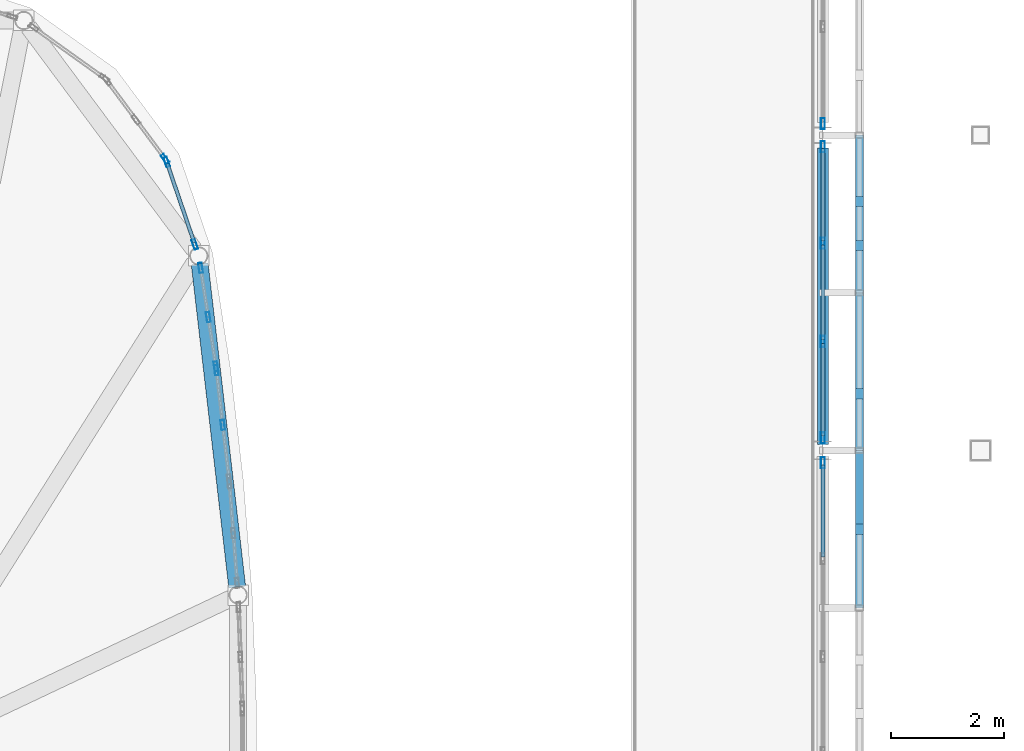
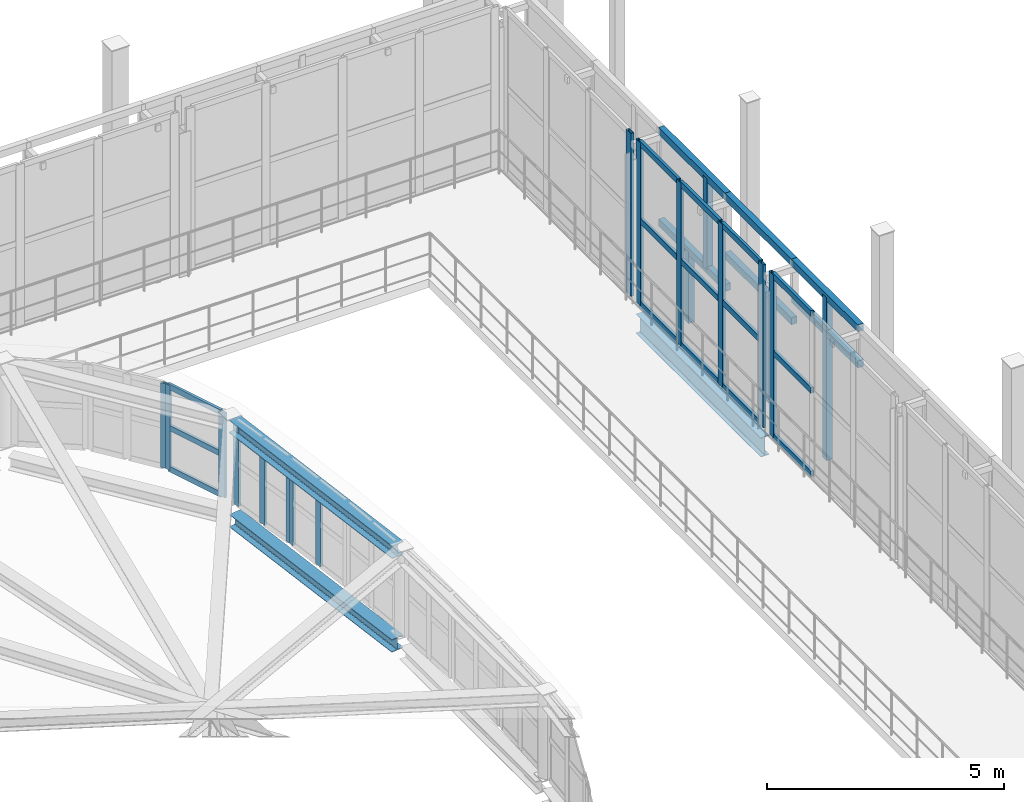
# One storey, part 37 of 78: 39 members, 3 beams, 7 elements without a shape of their own.
"""IFC4 building model written with IfcOpenShell, lengths in metres."""

from ifc_helpers import new_model, si_unit, direction, frame, origin, origin_2d, place, context, subcontext, project, spatial, rectangle, hollow_rectangle, i_section, extrude, material, layer, layer_set, material_profile, profile_set, type_object, element, aggregate, save


model = new_model("IFC4")

# Units and contexts
model_context = context("Model", 3, precision=1e-05, world=origin(), true_north=direction((0.0, 1.0)))
body_context = subcontext(model_context, "Body", "Model", "MODEL_VIEW")
ifc_project = project(units=[si_unit("LENGTHUNIT", "METRE"), si_unit("AREAUNIT", "SQUARE_METRE"), si_unit("VOLUMEUNIT", "CUBIC_METRE"), si_unit("PLANEANGLEUNIT", "RADIAN"), si_unit("MASSUNIT", "GRAM", prefix="KILO")], contexts=[model_context])

# Site, building, storey
site_placement = place(None, origin())
site = spatial("IfcSite", under=ifc_project, at=site_placement, CompositionType="ELEMENT")
building_placement = place(site_placement, origin())
building = spatial("IfcBuilding", under=site, at=building_placement, Name="Vinh Khe Railworks Police Headquarters", CompositionType="ELEMENT")
storey_placement = place(building_placement, frame((0.0, 0.0, 13.199951171875)))
storey = spatial("IfcBuildingStorey", under=building, at=storey_placement, Name="L03", CompositionType="ELEMENT", Elevation=13.199951171875)

# Members
ifc_material_1 = material(Name="Salvaged ironwood timber", Category="wood")
ifc_material_profile_1 = material_profile(ifc_material_1, rectangle(XDim=0.139892578125, YDim=0.179931640625, at=origin_2d()), Name="TIMBER 140x180")
ifc_profile_set_1 = profile_set([ifc_material_profile_1], Name="Salvaged ironwood timber")
member_type_1 = type_object("IfcMemberType", Name="MEM-QUILT-STILE", PredefinedType="CHORD", material=ifc_profile_set_1)
for number, where, z_axis, x_axis, name in (
    (1, (60.64990234375, 44.800048828125, 4.1201171875), (0.0, 1.0, 0.0), (-1.0, 0.0, 0.0), "Salvaged Timber Quilt Transom E-L03-07-TOP"),
    (2, (60.64990234375, 44.800048828125, 3.192138671875), (0.0, 1.0, 0.0), (-1.0, 0.0, 0.0), "Salvaged Timber Quilt Transom E-L03-07-M1"),
):
    element("IfcMember", number, at=place(storey_placement, frame(where, z_axis=z_axis, x_axis=x_axis)), inside=storey, type_object=member_type_1, Name=name, PredefinedType="CHORD", context=body_context, shape_type="SweptSolid", body=[
        extrude(rectangle(XDim=0.139892578125, YDim=0.179931640625, at=origin_2d()), origin(), (0.0, 0.0, 1.0), 2.800048828125),
    ])
member_1_placement = place(storey_placement, frame((60.64990234375, 46.199951171875, -0.079833984375), z_axis=(0.0, 0.0, 1.0), x_axis=(1.0, 0.0, 0.0)))
element("IfcMember", 3, at=member_1_placement, inside=storey, type_object=member_type_1, Name="Salvaged Timber Quilt Stile E-L03-07-V1", PredefinedType="POST", context=body_context, shape_type="SweptSolid", body=[
    extrude(rectangle(XDim=0.139892578125, YDim=0.179931640625, at=origin_2d()), origin(), (0.0, 0.0, 1.0), 4.199951171875),
])
for number, where, z_axis, x_axis, name in (
    (4, (60.64990234375, 47.60009765625, 4.1201171875), (0.0, 1.0, 0.0), (-1.0, 0.0, 0.0), "Salvaged Timber Quilt Transom E-L03-08-TOP"),
    (5, (60.64990234375, 47.60009765625, 2.60400390625), (0.0, 1.0, 0.0), (-1.0, 0.0, 0.0), "Salvaged Timber Quilt Transom E-L03-08-M1"),
):
    element("IfcMember", number, at=place(storey_placement, frame(where, z_axis=z_axis, x_axis=x_axis)), inside=storey, type_object=member_type_1, Name=name, PredefinedType="CHORD", context=body_context, shape_type="SweptSolid", body=[
        extrude(rectangle(XDim=0.139892578125, YDim=0.179931640625, at=origin_2d()), origin(), (0.0, 0.0, 1.0), 2.7998046875),
    ])
member_2_placement = place(storey_placement, frame((60.64990234375, 48.60791015625, -0.079833984375), z_axis=(0.0, 0.0, 1.0), x_axis=(1.0, 0.0, 0.0)))
element("IfcMember", 6, at=member_2_placement, inside=storey, type_object=member_type_1, Name="Salvaged Timber Quilt Stile E-L03-08-V1", PredefinedType="POST", context=body_context, shape_type="SweptSolid", body=[
    extrude(rectangle(XDim=0.139892578125, YDim=0.179931640625, at=origin_2d()), origin(), (0.0, 0.0, 1.0), 2.683837890625),
])
for number, where, z_axis, x_axis, name in (
    (7, (60.64990234375, 50.39990234375, 4.1201171875), (0.0, 1.0, 0.0), (-1.0, 0.0, 0.0), "Salvaged Timber Quilt Transom E-L03-09-TOP"),
    (8, (60.64990234375, 50.39990234375, 1.76416015625), (0.0, 1.0, 0.0), (-1.0, 0.0, 0.0), "Salvaged Timber Quilt Transom E-L03-09-M1"),
):
    element("IfcMember", number, at=place(storey_placement, frame(where, z_axis=z_axis, x_axis=x_axis)), inside=storey, type_object=member_type_1, Name=name, PredefinedType="CHORD", context=body_context, shape_type="SweptSolid", body=[
        extrude(rectangle(XDim=0.139892578125, YDim=0.179931640625, at=origin_2d()), origin(), (0.0, 0.0, 1.0), 2.800048828125),
    ])
member_3_placement = place(storey_placement, frame((60.64990234375, 52.02392578125, -0.079833984375), z_axis=(0.0, 0.0, 1.0), x_axis=(1.0, 0.0, 0.0)))
element("IfcMember", 9, at=member_3_placement, inside=storey, type_object=member_type_1, Name="Salvaged Timber Quilt Stile E-L03-09-V1", PredefinedType="POST", context=body_context, shape_type="SweptSolid", body=[
    extrude(rectangle(XDim=0.139892578125, YDim=0.179931640625, at=origin_2d()), origin(), (0.0, 0.0, 1.0), 1.843994140625),
])
member_4_placement = place(storey_placement, frame((60.64990234375, 51.239990234375, 1.76416015625), z_axis=(0.0, 0.0, 1.0), x_axis=(1.0, 0.0, 0.0)))
element("IfcMember", 10, at=member_4_placement, inside=storey, type_object=member_type_1, Name="Salvaged Timber Quilt Stile E-L03-09-V2", PredefinedType="POST", context=body_context, shape_type="SweptSolid", body=[
    extrude(rectangle(XDim=0.139892578125, YDim=0.179931640625, at=origin_2d()), origin(), (0.0, 0.0, 1.0), 2.35595703125),
])

# Curtain wall, members
ifc_material_2 = material(Name="Anodised aluminium and acoustic laminated glass", Category="aluminium")
ifc_layer_1 = layer(ifc_material_2, 0.159912109375)
ifc_layer_set_1 = layer_set([ifc_layer_1], Name="Anodised aluminium and acoustic laminated glass")
curtain_wall_type_1 = type_object("IfcCurtainWallType", Name="CW-DRUM-CHORD", PredefinedType="USERDEFINED", material=ifc_layer_set_1)
curtain_wall_1_placement = place(storey_placement, origin())
curtain_wall_1 = element("IfcCurtainWall", 11, at=curtain_wall_1_placement, inside=storey, type_object=curtain_wall_type_1, Name="Elliptical Command Drum Glazing L03 Chord 8", ObjectType="DRUM FACADE GLAZING", PredefinedType="USERDEFINED")
ifc_material_3 = material(Name="Anodised aluminium 6063-T6", Category="aluminium")
ifc_material_profile_2 = material_profile(ifc_material_3, hollow_rectangle(XDim=0.06494140625, YDim=0.179931640625, WallThickness=0.0048828125, at=origin_2d()), Name="CW-M 65x180x5")
ifc_profile_set_2 = profile_set([ifc_material_profile_2], Name="Anodised aluminium 6063-T6")
member_type_2 = type_object("IfcMemberType", Name="MULL-CWM-02", PredefinedType="MULLION", material=ifc_profile_set_2)
member_5_placement = place(storey_placement, frame((49.340087890625, 48.052978515625, 0.0), z_axis=(0.0, 0.0, 1.0), x_axis=(-0.993328656296, -0.115317737498, 0.0)))
member_5 = element("IfcMember", 12, at=member_5_placement, type_object=member_type_2, Name="CW-02 mullion 2", PredefinedType="MULLION", context=body_context, shape_type="SweptSolid", body=[
    extrude(hollow_rectangle(XDim=0.06494140625, YDim=0.179931640625, WallThickness=0.0048828125, at=origin_2d()), origin(), (0.0, 0.0, 1.0), 2.179931640625),
])
member_6_placement = place(storey_placement, frame((49.227294921875, 49.025146484375, 0.0), z_axis=(0.0, 0.0, 1.0), x_axis=(-0.993328656296, -0.115317737498, 0.0)))
member_6 = element("IfcMember", 13, at=member_6_placement, type_object=member_type_2, Name="CW-02 mullion 3", PredefinedType="MULLION", context=body_context, shape_type="SweptSolid", body=[
    extrude(hollow_rectangle(XDim=0.06494140625, YDim=0.179931640625, WallThickness=0.0048828125, at=origin_2d()), origin(), (0.0, 0.0, 1.0), 2.179931640625),
])
aggregate(curtain_wall_1, [member_5, member_6])

curtain_wall_2_placement = place(storey_placement, origin())
curtain_wall_2 = element("IfcCurtainWall", 14, at=curtain_wall_2_placement, inside=storey, type_object=curtain_wall_type_1, Name="Elliptical Command Drum Glazing L03 Chord 9", ObjectType="DRUM FACADE GLAZING", PredefinedType="USERDEFINED")
member_7_placement = place(storey_placement, frame((49.218505859375, 49.089599609375, 0.0), z_axis=(0.0, 0.0, 1.0), x_axis=(-0.988150371063, -0.153488905684, 0.0)))
member_7 = element("IfcMember", 15, at=member_7_placement, type_object=member_type_2, Name="CW-02 mullion 1", PredefinedType="MULLION", context=body_context, shape_type="SweptSolid", body=[
    extrude(hollow_rectangle(XDim=0.06494140625, YDim=0.179931640625, WallThickness=0.0048828125, at=origin_2d()), origin(), (0.0, 0.0, 1.0), 2.179931640625),
])
member_8_placement = place(storey_placement, frame((49.082275390625, 49.966796875, 0.0), z_axis=(0.0, 0.0, 1.0), x_axis=(-0.988150371063, -0.153488905684, 0.0)))
member_8 = element("IfcMember", 16, at=member_8_placement, type_object=member_type_2, Name="CW-02 mullion 2", PredefinedType="MULLION", context=body_context, shape_type="SweptSolid", body=[
    extrude(hollow_rectangle(XDim=0.06494140625, YDim=0.179931640625, WallThickness=0.0048828125, at=origin_2d()), origin(), (0.0, 0.0, 1.0), 2.179931640625),
])
member_9_placement = place(storey_placement, frame((48.946044921875, 50.843994140625, 0.0), z_axis=(0.0, 0.0, 1.0), x_axis=(-0.988150371063, -0.153488905684, 0.0)))
member_9 = element("IfcMember", 17, at=member_9_placement, type_object=member_type_2, Name="CW-02 mullion 3", PredefinedType="MULLION", context=body_context, shape_type="SweptSolid", body=[
    extrude(hollow_rectangle(XDim=0.06494140625, YDim=0.179931640625, WallThickness=0.0048828125, at=origin_2d()), origin(), (0.0, 0.0, 1.0), 2.179931640625),
])
aggregate(curtain_wall_2, [member_7, member_8, member_9])

curtain_wall_3_placement = place(storey_placement, origin())
curtain_wall_3 = element("IfcCurtainWall", 18, at=curtain_wall_3_placement, inside=storey, type_object=curtain_wall_type_1, Name="Elliptical Command Drum Glazing L03 Chord 10", ObjectType="DRUM FACADE GLAZING", PredefinedType="USERDEFINED")
member_10_placement = place(storey_placement, frame((48.84375, 51.2587890625, 0.0), z_axis=(0.0, 0.0, 1.0), x_axis=(-0.946484607162, -0.322748955701, 0.0)))
member_10 = element("IfcMember", 19, at=member_10_placement, type_object=member_type_2, Name="CW-02 mullion 1", PredefinedType="MULLION", context=body_context, shape_type="SweptSolid", body=[
    extrude(hollow_rectangle(XDim=0.06494140625, YDim=0.179931640625, WallThickness=0.0048828125, at=origin_2d()), origin(), (0.0, 0.0, 1.0), 2.179931640625),
])
member_11_placement = place(storey_placement, frame((48.344482421875, 52.72314453125, 0.0), z_axis=(0.0, 0.0, 1.0), x_axis=(-0.946484607162, -0.322748955701, 0.0)))
member_11 = element("IfcMember", 20, at=member_11_placement, type_object=member_type_2, Name="CW-02 mullion 2", PredefinedType="MULLION", context=body_context, shape_type="SweptSolid", body=[
    extrude(hollow_rectangle(XDim=0.06494140625, YDim=0.179931640625, WallThickness=0.0048828125, at=origin_2d()), origin(), (0.0, 0.0, 1.0), 2.179931640625),
])

# Curtain wall, member
curtain_wall_4_placement = place(storey_placement, origin())
curtain_wall_4 = element("IfcCurtainWall", 21, at=curtain_wall_4_placement, inside=storey, type_object=curtain_wall_type_1, Name="Elliptical Command Drum Glazing L03 Chord 11", ObjectType="DRUM FACADE GLAZING", PredefinedType="USERDEFINED")
member_12_placement = place(storey_placement, frame((48.314697265625, 52.77978515625, 0.0), z_axis=(0.0, 0.0, 1.0), x_axis=(-0.802591949394, -0.596528425784, 0.0)))
member_12 = element("IfcMember", 22, at=member_12_placement, type_object=member_type_2, Name="CW-02 mullion 1", PredefinedType="MULLION", context=body_context, shape_type="SweptSolid", body=[
    extrude(hollow_rectangle(XDim=0.06494140625, YDim=0.179931640625, WallThickness=0.0048828125, at=origin_2d()), origin(), (0.0, 0.0, 1.0), 2.179931640625),
])
aggregate(curtain_wall_4, [member_12])

ifc_material_4 = material(Name="Anodised aluminium and low-iron glass", Category="aluminium")
ifc_layer_2 = layer(ifc_material_4, 0.179931640625)
ifc_layer_set_2 = layer_set([ifc_layer_2], Name="Anodised aluminium and low-iron glass")
curtain_wall_type_2 = type_object("IfcCurtainWallType", Name="CW-CUBE-UNIT", PredefinedType="USERDEFINED", material=ifc_layer_set_2)
curtain_wall_5_placement = place(storey_placement, origin())
curtain_wall_5 = element("IfcCurtainWall", 23, at=curtain_wall_5_placement, inside=storey, type_object=curtain_wall_type_2, Name="Entrance Hall Curtain Wall L03 E-4", ObjectType="UNITISED GLAZING", PredefinedType="USERDEFINED")
ifc_material_profile_3 = material_profile(ifc_material_3, hollow_rectangle(XDim=0.070068359375, YDim=0.199951171875, WallThickness=0.0048828125, at=origin_2d()), Name="CW-M 70x200x5")
ifc_profile_set_3 = profile_set([ifc_material_profile_3], Name="Anodised aluminium 6063-T6")
member_type_3 = type_object("IfcMemberType", Name="MULL-CWM-03", PredefinedType="MULLION", material=ifc_profile_set_3)
member_13_placement = place(storey_placement, frame((60.0, 47.3798828125, 0.0), z_axis=(0.0, 0.0, 1.0), x_axis=(-1.0, 0.0, 0.0)))
member_13 = element("IfcMember", 24, at=member_13_placement, type_object=member_type_3, Name="CW-01 mullion 4", PredefinedType="MULLION", context=body_context, shape_type="SweptSolid", body=[
    extrude(hollow_rectangle(XDim=0.070068359375, YDim=0.199951171875, WallThickness=0.0048828125, at=origin_2d()), origin(), (0.0, 0.0, 1.0), 4.199951171875),
])

# Curtain wall, members
curtain_wall_6_placement = place(storey_placement, origin())
curtain_wall_6 = element("IfcCurtainWall", 25, at=curtain_wall_6_placement, inside=storey, type_object=curtain_wall_type_2, Name="Entrance Hall Curtain Wall L03 E-5", ObjectType="UNITISED GLAZING", PredefinedType="USERDEFINED")
member_14_placement = place(storey_placement, frame((60.0, 47.820068359375, 0.0), z_axis=(0.0, 0.0, 1.0), x_axis=(-1.0, 0.0, 0.0)))
member_14 = element("IfcMember", 26, at=member_14_placement, type_object=member_type_3, Name="CW-01 mullion 1", PredefinedType="MULLION", context=body_context, shape_type="SweptSolid", body=[
    extrude(hollow_rectangle(XDim=0.070068359375, YDim=0.199951171875, WallThickness=0.0048828125, at=origin_2d()), origin(), (0.0, 0.0, 1.0), 4.199951171875),
])
member_15_placement = place(storey_placement, frame((60.0, 49.533447265625, 0.0), z_axis=(0.0, 0.0, 1.0), x_axis=(-1.0, 0.0, 0.0)))
member_15 = element("IfcMember", 27, at=member_15_placement, type_object=member_type_3, Name="CW-01 mullion 2", PredefinedType="MULLION", context=body_context, shape_type="SweptSolid", body=[
    extrude(hollow_rectangle(XDim=0.070068359375, YDim=0.199951171875, WallThickness=0.0048828125, at=origin_2d()), origin(), (0.0, 0.0, 1.0), 4.199951171875),
])
member_16_placement = place(storey_placement, frame((60.0, 51.28173828125, 0.0), z_axis=(0.0, 0.0, 1.0), x_axis=(-1.0, 0.0, 0.0)))
member_16 = element("IfcMember", 28, at=member_16_placement, type_object=member_type_3, Name="CW-01 mullion 3", PredefinedType="MULLION", context=body_context, shape_type="SweptSolid", body=[
    extrude(hollow_rectangle(XDim=0.070068359375, YDim=0.199951171875, WallThickness=0.0048828125, at=origin_2d()), origin(), (0.0, 0.0, 1.0), 4.199951171875),
])
member_17_placement = place(storey_placement, frame((60.0, 52.9951171875, 0.0), z_axis=(0.0, 0.0, 1.0), x_axis=(-1.0, 0.0, 0.0)))
member_17 = element("IfcMember", 29, at=member_17_placement, type_object=member_type_3, Name="CW-01 mullion 4", PredefinedType="MULLION", context=body_context, shape_type="SweptSolid", body=[
    extrude(hollow_rectangle(XDim=0.070068359375, YDim=0.199951171875, WallThickness=0.0048828125, at=origin_2d()), origin(), (0.0, 0.0, 1.0), 4.199951171875),
])

# Curtain wall, member
curtain_wall_7_placement = place(storey_placement, origin())
curtain_wall_7 = element("IfcCurtainWall", 30, at=curtain_wall_7_placement, inside=storey, type_object=curtain_wall_type_2, Name="Entrance Hall Curtain Wall L03 E-6", ObjectType="UNITISED GLAZING", PredefinedType="USERDEFINED")
member_18_placement = place(storey_placement, frame((60.0, 53.405029296875, 0.0), z_axis=(0.0, 0.0, 1.0), x_axis=(-1.0, 0.0, 0.0)))
member_18 = element("IfcMember", 31, at=member_18_placement, type_object=member_type_3, Name="CW-01 mullion 1", PredefinedType="MULLION", context=body_context, shape_type="SweptSolid", body=[
    extrude(hollow_rectangle(XDim=0.070068359375, YDim=0.199951171875, WallThickness=0.0048828125, at=origin_2d()), origin(), (0.0, 0.0, 1.0), 4.199951171875),
])
aggregate(curtain_wall_7, [member_18])

# Beams
ifc_material_5 = material(Name="Steel S355JR", Category="steel")
ifc_material_profile_4 = material_profile(ifc_material_5, i_section(OverallWidth=0.300048828125, OverallDepth=0.330078125, WebThickness=0.009521484375, FlangeThickness=0.0166015625, FilletRadius=0.027099609375, at=origin_2d()), Name="HEA 340")
ifc_profile_set_4 = profile_set([ifc_material_profile_4], Name="Steel S355JR")
beam_type_1 = type_object("IfcBeamType", Name="Steel Girder HEA 340", PredefinedType="BEAM", material=ifc_profile_set_4)
beam_1_placement = place(storey_placement, frame((49.59423828125, 45.188720703125, -0.385009765625), z_axis=(-0.115301092257, 0.993330588538, 0.0), x_axis=(-0.993330588538, -0.115301092257, 0.0)))
element("IfcBeam", 32, at=beam_1_placement, inside=storey, type_object=beam_type_1, Name="Drum Ring Girder BM-L03-DRUM-SB-16-1278", PredefinedType="BEAM", context=body_context, shape_type="SweptSolid", body=[
    extrude(i_section(OverallWidth=0.300048828125, OverallDepth=0.330078125, WebThickness=0.009521484375, FlangeThickness=0.0166015625, FilletRadius=0.027099609375, at=origin_2d()), origin(), (0.0, 0.0, 1.0), 5.748779296875),
])
beam_2_placement = place(storey_placement, frame((49.595947265625, 45.173095703125, 2.03515625), z_axis=(-0.115307025533, 0.993329899813, 0.0), x_axis=(-0.993329899813, -0.115307025533, 0.0)))
element("IfcBeam", 33, at=beam_2_placement, inside=storey, type_object=beam_type_1, Name="Drum Ring Girder BM-L03-DRUM-SB-16-1484", PredefinedType="BEAM", context=body_context, shape_type="SweptSolid", body=[
    extrude(i_section(OverallWidth=0.300048828125, OverallDepth=0.330078125, WebThickness=0.009521484375, FlangeThickness=0.0166015625, FilletRadius=0.027099609375, at=origin_2d()), origin(), (0.0, 0.0, 1.0), 5.7802734375),
])
ifc_material_profile_5 = material_profile(ifc_material_5, i_section(OverallWidth=0.199951171875, OverallDepth=0.5, WebThickness=0.01025390625, FlangeThickness=0.01611328125, FilletRadius=0.02099609375, at=origin_2d()), Name="IPE 500")
ifc_profile_set_5 = profile_set([ifc_material_profile_5], Name="Steel S355JR")
beam_type_2 = type_object("IfcBeamType", Name="Steel Girder IPE 500", PredefinedType="BEAM", material=ifc_profile_set_5)
beam_3_placement = place(storey_placement, frame((60.0, 47.7099609375, -0.469970703125), z_axis=(0.0, 1.0, 0.0), x_axis=(-1.0, 0.0, 0.0)))
element("IfcBeam", 34, at=beam_3_placement, inside=storey, type_object=beam_type_2, Name="Girder BM-L03-NS-SB-19-1223", PredefinedType="BEAM", context=body_context, shape_type="SweptSolid", body=[
    extrude(i_section(OverallWidth=0.199951171875, OverallDepth=0.5, WebThickness=0.01025390625, FlangeThickness=0.01611328125, FilletRadius=0.02099609375, at=origin_2d()), origin(), (0.0, 0.0, 1.0), 5.26513671875),
])

# Member
ifc_material_profile_6 = material_profile(ifc_material_3, hollow_rectangle(XDim=0.06494140625, YDim=0.139892578125, WallThickness=0.00390625, at=origin_2d()), Name="CW-T 65x140x4")
ifc_profile_set_6 = profile_set([ifc_material_profile_6], Name="Anodised aluminium 6063-T6")
member_type_4 = type_object("IfcMemberType", Name="TRAN-CWT-02", PredefinedType="USERDEFINED", material=ifc_profile_set_6)
member_19_placement = place(storey_placement, frame((48.833251953125, 51.28955078125, 0.032470703125), z_axis=(-0.322694051316, 0.946503327646, 0.0), x_axis=(-0.946503327646, -0.322694051316, 0.0)))
member_19 = element("IfcMember", 35, at=member_19_placement, type_object=member_type_4, Name="CW-02 transom 1.1", ObjectType="TRANSOM", PredefinedType="USERDEFINED", context=body_context, shape_type="SweptSolid", body=[
    extrude(hollow_rectangle(XDim=0.06494140625, YDim=0.139892578125, WallThickness=0.00390625, at=origin_2d()), origin(), (0.0, 0.0, 1.0), 1.482177734375),
])

member_20_placement = place(storey_placement, frame((48.833251953125, 51.28955078125, 1.090087890625), z_axis=(-0.322694051316, 0.946503327646, 0.0), x_axis=(-0.946503327646, -0.322694051316, 0.0)))
member_20 = element("IfcMember", 36, at=member_20_placement, type_object=member_type_4, Name="CW-02 transom 1.2", ObjectType="TRANSOM", PredefinedType="USERDEFINED", context=body_context, shape_type="SweptSolid", body=[
    extrude(hollow_rectangle(XDim=0.06494140625, YDim=0.139892578125, WallThickness=0.00390625, at=origin_2d()), origin(), (0.0, 0.0, 1.0), 1.482177734375),
])

member_21_placement = place(storey_placement, frame((48.833251953125, 51.28955078125, 2.1474609375), z_axis=(-0.322694051316, 0.946503327646, 0.0), x_axis=(-0.946503327646, -0.322694051316, 0.0)))
member_21 = element("IfcMember", 37, at=member_21_placement, type_object=member_type_4, Name="CW-02 transom 1.3", ObjectType="TRANSOM", PredefinedType="USERDEFINED", context=body_context, shape_type="SweptSolid", body=[
    extrude(hollow_rectangle(XDim=0.06494140625, YDim=0.139892578125, WallThickness=0.00390625, at=origin_2d()), origin(), (0.0, 0.0, 1.0), 1.482177734375),
])

aggregate(curtain_wall_3, [member_10, member_11, member_19, member_20, member_21])

ifc_material_profile_7 = material_profile(ifc_material_3, hollow_rectangle(XDim=0.070068359375, YDim=0.14990234375, WallThickness=0.0048828125, at=origin_2d()), Name="CW-T 70x150x5")
ifc_profile_set_7 = profile_set([ifc_material_profile_7], Name="Anodised aluminium 6063-T6")
member_type_5 = type_object("IfcMemberType", Name="TRAN-CWT-03", PredefinedType="USERDEFINED", material=ifc_profile_set_7)
member_22_placement = place(storey_placement, frame((60.0, 45.7099609375, 0.03515625), z_axis=(0.0, 1.0, 0.0), x_axis=(-1.0, 0.0, 0.0)))
member_22 = element("IfcMember", 38, at=member_22_placement, type_object=member_type_5, Name="CW-01 transom 3.1", ObjectType="TRANSOM", PredefinedType="USERDEFINED", context=body_context, shape_type="SweptSolid", body=[
    extrude(hollow_rectangle(XDim=0.070068359375, YDim=0.14990234375, WallThickness=0.0048828125, at=origin_2d()), origin(), (0.0, 0.0, 1.0), 1.635009765625),
])

member_23_placement = place(storey_placement, frame((60.0, 45.7099609375, 2.18408203125), z_axis=(0.0, 1.0, 0.0), x_axis=(-1.0, 0.0, 0.0)))
member_23 = element("IfcMember", 39, at=member_23_placement, type_object=member_type_5, Name="CW-01 transom 3.2", ObjectType="TRANSOM", PredefinedType="USERDEFINED", context=body_context, shape_type="SweptSolid", body=[
    extrude(hollow_rectangle(XDim=0.070068359375, YDim=0.14990234375, WallThickness=0.0048828125, at=origin_2d()), origin(), (0.0, 0.0, 1.0), 1.635009765625),
])

member_24_placement = place(storey_placement, frame((60.0, 45.7099609375, 4.1650390625), z_axis=(0.0, 1.0, 0.0), x_axis=(-1.0, 0.0, 0.0)))
member_24 = element("IfcMember", 40, at=member_24_placement, type_object=member_type_5, Name="CW-01 transom 3.3", ObjectType="TRANSOM", PredefinedType="USERDEFINED", context=body_context, shape_type="SweptSolid", body=[
    extrude(hollow_rectangle(XDim=0.070068359375, YDim=0.14990234375, WallThickness=0.0048828125, at=origin_2d()), origin(), (0.0, 0.0, 1.0), 1.635009765625),
])

aggregate(curtain_wall_5, [member_13, member_22, member_23, member_24])

member_25_placement = place(storey_placement, frame((60.0, 47.85498046875, 0.03515625), z_axis=(0.0, 1.0, 0.0), x_axis=(-1.0, 0.0, 0.0)))
member_25 = element("IfcMember", 41, at=member_25_placement, type_object=member_type_5, Name="CW-01 transom 1.1", ObjectType="TRANSOM", PredefinedType="USERDEFINED", context=body_context, shape_type="SweptSolid", body=[
    extrude(hollow_rectangle(XDim=0.070068359375, YDim=0.14990234375, WallThickness=0.0048828125, at=origin_2d()), origin(), (0.0, 0.0, 1.0), 1.643310546875),
])

member_26_placement = place(storey_placement, frame((60.0, 47.85498046875, 2.18408203125), z_axis=(0.0, 1.0, 0.0), x_axis=(-1.0, 0.0, 0.0)))
member_26 = element("IfcMember", 42, at=member_26_placement, type_object=member_type_5, Name="CW-01 transom 1.2", ObjectType="TRANSOM", PredefinedType="USERDEFINED", context=body_context, shape_type="SweptSolid", body=[
    extrude(hollow_rectangle(XDim=0.070068359375, YDim=0.14990234375, WallThickness=0.0048828125, at=origin_2d()), origin(), (0.0, 0.0, 1.0), 1.643310546875),
])

member_27_placement = place(storey_placement, frame((60.0, 47.85498046875, 4.1650390625), z_axis=(0.0, 1.0, 0.0), x_axis=(-1.0, 0.0, 0.0)))
member_27 = element("IfcMember", 43, at=member_27_placement, type_object=member_type_5, Name="CW-01 transom 1.3", ObjectType="TRANSOM", PredefinedType="USERDEFINED", context=body_context, shape_type="SweptSolid", body=[
    extrude(hollow_rectangle(XDim=0.070068359375, YDim=0.14990234375, WallThickness=0.0048828125, at=origin_2d()), origin(), (0.0, 0.0, 1.0), 1.643310546875),
])

member_28_placement = place(storey_placement, frame((60.0, 49.568359375, 0.03515625), z_axis=(0.0, 1.0, 0.0), x_axis=(-1.0, 0.0, 0.0)))
member_28 = element("IfcMember", 44, at=member_28_placement, type_object=member_type_5, Name="CW-01 transom 2.1", ObjectType="TRANSOM", PredefinedType="USERDEFINED", context=body_context, shape_type="SweptSolid", body=[
    extrude(hollow_rectangle(XDim=0.070068359375, YDim=0.14990234375, WallThickness=0.0048828125, at=origin_2d()), origin(), (0.0, 0.0, 1.0), 1.67822265625),
])

member_29_placement = place(storey_placement, frame((60.0, 49.568359375, 2.18408203125), z_axis=(0.0, 1.0, 0.0), x_axis=(-1.0, 0.0, 0.0)))
member_29 = element("IfcMember", 45, at=member_29_placement, type_object=member_type_5, Name="CW-01 transom 2.2", ObjectType="TRANSOM", PredefinedType="USERDEFINED", context=body_context, shape_type="SweptSolid", body=[
    extrude(hollow_rectangle(XDim=0.070068359375, YDim=0.14990234375, WallThickness=0.0048828125, at=origin_2d()), origin(), (0.0, 0.0, 1.0), 1.67822265625),
])

member_30_placement = place(storey_placement, frame((60.0, 49.568359375, 4.1650390625), z_axis=(0.0, 1.0, 0.0), x_axis=(-1.0, 0.0, 0.0)))
member_30 = element("IfcMember", 46, at=member_30_placement, type_object=member_type_5, Name="CW-01 transom 2.3", ObjectType="TRANSOM", PredefinedType="USERDEFINED", context=body_context, shape_type="SweptSolid", body=[
    extrude(hollow_rectangle(XDim=0.070068359375, YDim=0.14990234375, WallThickness=0.0048828125, at=origin_2d()), origin(), (0.0, 0.0, 1.0), 1.67822265625),
])

member_31_placement = place(storey_placement, frame((60.0, 51.316650390625, 0.03515625), z_axis=(0.0, 1.0, 0.0), x_axis=(-1.0, 0.0, 0.0)))
member_31 = element("IfcMember", 47, at=member_31_placement, type_object=member_type_5, Name="CW-01 transom 3.1", ObjectType="TRANSOM", PredefinedType="USERDEFINED", context=body_context, shape_type="SweptSolid", body=[
    extrude(hollow_rectangle(XDim=0.070068359375, YDim=0.14990234375, WallThickness=0.0048828125, at=origin_2d()), origin(), (0.0, 0.0, 1.0), 1.643310546875),
])

member_32_placement = place(storey_placement, frame((60.0, 51.316650390625, 2.18408203125), z_axis=(0.0, 1.0, 0.0), x_axis=(-1.0, 0.0, 0.0)))
member_32 = element("IfcMember", 48, at=member_32_placement, type_object=member_type_5, Name="CW-01 transom 3.2", ObjectType="TRANSOM", PredefinedType="USERDEFINED", context=body_context, shape_type="SweptSolid", body=[
    extrude(hollow_rectangle(XDim=0.070068359375, YDim=0.14990234375, WallThickness=0.0048828125, at=origin_2d()), origin(), (0.0, 0.0, 1.0), 1.643310546875),
])

member_33_placement = place(storey_placement, frame((60.0, 51.316650390625, 4.1650390625), z_axis=(0.0, 1.0, 0.0), x_axis=(-1.0, 0.0, 0.0)))
member_33 = element("IfcMember", 49, at=member_33_placement, type_object=member_type_5, Name="CW-01 transom 3.3", ObjectType="TRANSOM", PredefinedType="USERDEFINED", context=body_context, shape_type="SweptSolid", body=[
    extrude(hollow_rectangle(XDim=0.070068359375, YDim=0.14990234375, WallThickness=0.0048828125, at=origin_2d()), origin(), (0.0, 0.0, 1.0), 1.643310546875),
])

aggregate(curtain_wall_6, [member_14, member_15, member_16, member_17, member_25, member_26, member_27, member_28, member_29, member_30, member_31, member_32, member_33])

save(model, "model.ifc")
